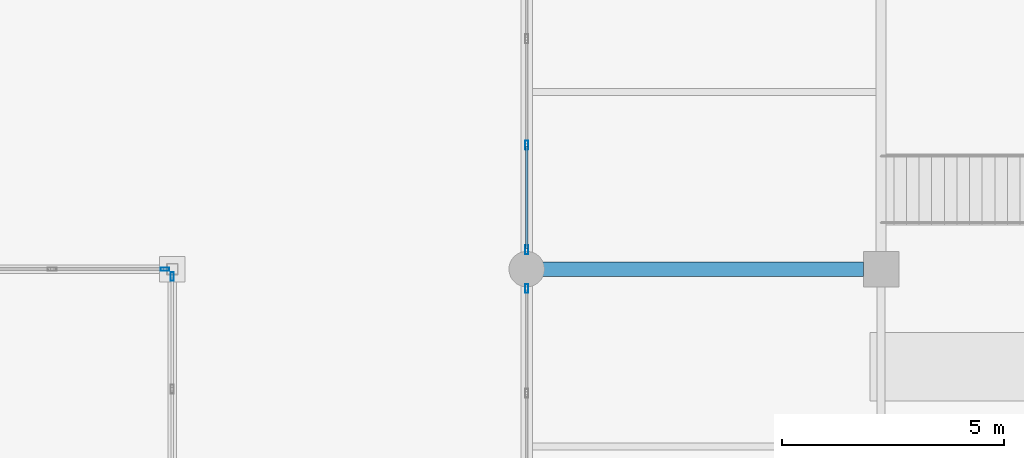
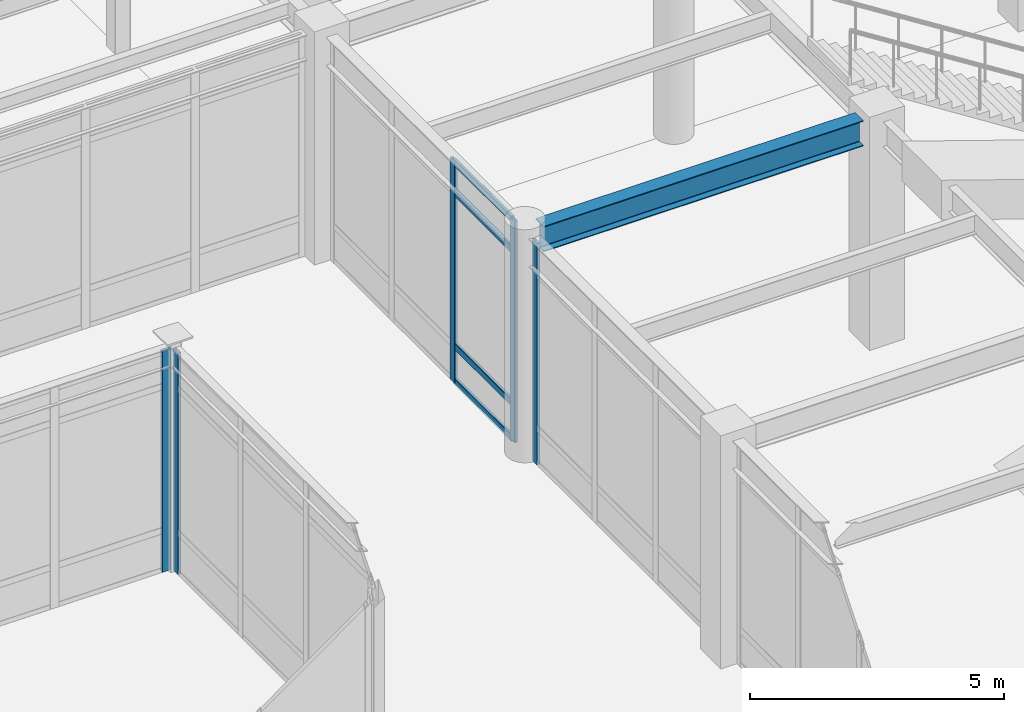
# One storey, part 66 of 128: 9 members, 1 beam, 4 elements without a shape of their own.
"""IFC4 building model written with IfcOpenShell, lengths in metres."""

from ifc_helpers import new_model, si_unit, direction, frame, origin, origin_2d, place, context, subcontext, project, spatial, hollow_rectangle, i_section, extrude, material, material_profile, profile_set, type_object, element, aggregate, save


model = new_model("IFC4")

# Units and contexts
model_context = context("Model", 3, precision=1e-05, world=origin(), true_north=direction((0.0, 1.0)))
body_context = subcontext(model_context, "Body", "Model", "MODEL_VIEW")
ifc_project = project(units=[si_unit("LENGTHUNIT", "METRE"), si_unit("AREAUNIT", "SQUARE_METRE"), si_unit("VOLUMEUNIT", "CUBIC_METRE"), si_unit("PLANEANGLEUNIT", "RADIAN"), si_unit("MASSUNIT", "GRAM", prefix="KILO")], contexts=[model_context])

# Site, building, storey
site_placement = place(None, origin())
site = spatial("IfcSite", under=ifc_project, at=site_placement, CompositionType="ELEMENT")
building_placement = place(site_placement, origin())
building = spatial("IfcBuilding", under=site, at=building_placement, Name="Solmirada Galleria", CompositionType="ELEMENT")
storey_placement = place(building_placement, origin())
storey = spatial("IfcBuildingStorey", under=building, at=storey_placement, Name="L00", CompositionType="ELEMENT", Elevation=0.0)

# Beam
ifc_material_1 = material(Name="Steel S355 / ASTM A992 Grade 50", Category="steel")
ifc_material_profile_1 = material_profile(ifc_material_1, i_section(OverallWidth=0.323974609375, OverallDepth=0.611083984375, WebThickness=0.0126953125, FlangeThickness=0.01904296875, FilletRadius=0.014892578125, at=origin_2d()), Name="W24X104")
ifc_profile_set_1 = profile_set([ifc_material_profile_1], Name="Steel S355 / ASTM A992 Grade 50")
beam_type = type_object("IfcBeamType", Name="BM-GIRD-W24A", PredefinedType="BEAM", material=ifc_profile_set_1)
beam_placement = place(storey_placement, frame((80.3359375, 64.0, 5.074462890625), z_axis=(1.0, 0.0, 0.0), x_axis=(0.0, 1.0, 0.0)))
element("IfcBeam", 1, at=beam_placement, inside=storey, type_object=beam_type, Name="Primary beam L01 X(80..88, 64)", PredefinedType="BEAM", context=body_context, shape_type="SweptSolid", body=[
    extrude(i_section(OverallWidth=0.323974609375, OverallDepth=0.611083984375, WebThickness=0.0126953125, FlangeThickness=0.01904296875, FilletRadius=0.014892578125, at=origin_2d()), origin(), (0.0, 0.0, 1.0), 7.26416015625),
])

# Curtain wall, member
ifc_material_2 = material(Name="Impact-resistant low-E double glazing", Category="glass")
curtain_wall_type_1 = type_object("IfcCurtainWallType", Name="CW-FZ3-L00-B3-L072", PredefinedType="NOTDEFINED", material=ifc_material_2)
curtain_wall_1_placement = place(storey_placement, origin())
curtain_wall_1 = element("IfcCurtainWall", 2, at=curtain_wall_1_placement, inside=storey, type_object=curtain_wall_type_1, Name="Terrace and arcade storefront CW-L00-002", PredefinedType="NOTDEFINED")
ifc_material_3 = material(Name="Anodised aluminium framing", Category="aluminium")
ifc_material_profile_2 = material_profile(ifc_material_3, hollow_rectangle(XDim=0.070068359375, YDim=0.199951171875, WallThickness=0.004150390625, InnerFilletRadius=0.004150390625, OuterFilletRadius=0.00830078125, at=origin_2d()), Name="ALU-MULL-200X70")
ifc_profile_set_2 = profile_set([ifc_material_profile_2], Name="Anodised aluminium framing")
member_type_1 = type_object("IfcMemberType", Name="CW-MULL-200", PredefinedType="MULLION", material=ifc_profile_set_2)
member_1_placement = place(storey_placement, frame((80.0, 63.56298828125, 0.0), z_axis=(0.0, 0.0, 1.0), x_axis=(-1.0, 0.0, 0.0)))
member_1 = element("IfcMember", 3, at=member_1_placement, type_object=member_type_1, Name="CW01 mullion 4", PredefinedType="MULLION", context=body_context, shape_type="SweptSolid", body=[
    extrude(hollow_rectangle(XDim=0.070068359375, YDim=0.199951171875, WallThickness=0.004150390625, InnerFilletRadius=0.004150390625, OuterFilletRadius=0.00830078125, at=origin_2d()), origin(), (0.0, 0.0, 1.0), 5.320068359375),
])
aggregate(curtain_wall_1, [member_1])

# Curtain wall, members
curtain_wall_2_placement = place(storey_placement, origin())
curtain_wall_2 = element("IfcCurtainWall", 4, at=curtain_wall_2_placement, inside=storey, type_object=curtain_wall_type_1, Name="Terrace and arcade storefront CW-L00-003", PredefinedType="NOTDEFINED")
member_2_placement = place(storey_placement, frame((80.0, 64.43701171875, 0.0), z_axis=(0.0, 0.0, 1.0), x_axis=(-1.0, 0.0, 0.0)))
member_2 = element("IfcMember", 5, at=member_2_placement, type_object=member_type_1, Name="CW01 mullion 1", PredefinedType="MULLION", context=body_context, shape_type="SweptSolid", body=[
    extrude(hollow_rectangle(XDim=0.070068359375, YDim=0.199951171875, WallThickness=0.004150390625, InnerFilletRadius=0.004150390625, OuterFilletRadius=0.00830078125, at=origin_2d()), origin(), (0.0, 0.0, 1.0), 5.320068359375),
])
member_3_placement = place(storey_placement, frame((80.0, 66.80078125, 0.0), z_axis=(0.0, 0.0, 1.0), x_axis=(-1.0, 0.0, 0.0)))
member_3 = element("IfcMember", 6, at=member_3_placement, type_object=member_type_1, Name="CW01 mullion 2", PredefinedType="MULLION", context=body_context, shape_type="SweptSolid", body=[
    extrude(hollow_rectangle(XDim=0.070068359375, YDim=0.199951171875, WallThickness=0.004150390625, InnerFilletRadius=0.004150390625, OuterFilletRadius=0.00830078125, at=origin_2d()), origin(), (0.0, 0.0, 1.0), 5.320068359375),
])

# Curtain wall, member
curtain_wall_type_2 = type_object("IfcCurtainWallType", Name="CW-FZ5-L00-B3-L077", PredefinedType="NOTDEFINED", material=ifc_material_2)
curtain_wall_3_placement = place(storey_placement, origin())
curtain_wall_3 = element("IfcCurtainWall", 7, at=curtain_wall_3_placement, inside=storey, type_object=curtain_wall_type_2, Name="Terrace and arcade storefront CW-L00-031", PredefinedType="NOTDEFINED")
member_4_placement = place(storey_placement, frame((72.0, 63.8359375, 0.0), z_axis=(0.0, 0.0, 1.0), x_axis=(1.0, 0.0, 0.0)))
member_4 = element("IfcMember", 8, at=member_4_placement, type_object=member_type_1, Name="CW08 mullion 1", PredefinedType="MULLION", context=body_context, shape_type="SweptSolid", body=[
    extrude(hollow_rectangle(XDim=0.070068359375, YDim=0.199951171875, WallThickness=0.004150390625, InnerFilletRadius=0.004150390625, OuterFilletRadius=0.00830078125, at=origin_2d()), origin(), (0.0, 0.0, 1.0), 5.320068359375),
])
aggregate(curtain_wall_3, [member_4])

curtain_wall_4_placement = place(storey_placement, origin())
curtain_wall_4 = element("IfcCurtainWall", 9, at=curtain_wall_4_placement, inside=storey, type_object=curtain_wall_type_2, Name="Terrace and arcade storefront CW-L00-037", PredefinedType="NOTDEFINED")
member_5_placement = place(storey_placement, frame((71.8359375, 64.0, 0.0), z_axis=(0.0, 0.0, 1.0), x_axis=(0.0, 1.0, 0.0)))
member_5 = element("IfcMember", 10, at=member_5_placement, type_object=member_type_1, Name="CW08 mullion 4", PredefinedType="MULLION", context=body_context, shape_type="SweptSolid", body=[
    extrude(hollow_rectangle(XDim=0.070068359375, YDim=0.199951171875, WallThickness=0.004150390625, InnerFilletRadius=0.004150390625, OuterFilletRadius=0.00830078125, at=origin_2d()), origin(), (0.0, 0.0, 1.0), 5.320068359375),
])
aggregate(curtain_wall_4, [member_5])

# Member
ifc_material_profile_3 = material_profile(ifc_material_3, hollow_rectangle(XDim=0.06494140625, YDim=0.159912109375, WallThickness=0.00390625, InnerFilletRadius=0.00390625, OuterFilletRadius=0.007568359375, at=origin_2d()), Name="ALU-TRAN-160X65")
ifc_profile_set_3 = profile_set([ifc_material_profile_3], Name="Anodised aluminium framing")
member_type_2 = type_object("IfcMemberType", Name="CW-TRAN-160", PredefinedType="USERDEFINED", material=ifc_profile_set_3)
member_6_placement = place(storey_placement, frame((80.0, 64.471923828125, 0.032470703125), z_axis=(0.0, 1.0, 0.0), x_axis=(-1.0, 0.0, 0.0)))
member_6 = element("IfcMember", 11, at=member_6_placement, type_object=member_type_2, Name="CW01 transom 1.1", ObjectType="TRANSOM", PredefinedType="USERDEFINED", context=body_context, shape_type="SweptSolid", body=[
    extrude(hollow_rectangle(XDim=0.06494140625, YDim=0.159912109375, WallThickness=0.00390625, InnerFilletRadius=0.00390625, OuterFilletRadius=0.007568359375, at=origin_2d()), origin(), (0.0, 0.0, 1.0), 2.293701171875),
])

member_7_placement = place(storey_placement, frame((80.0, 64.471923828125, 0.8798828125), z_axis=(0.0, 1.0, 0.0), x_axis=(-1.0, 0.0, 0.0)))
member_7 = element("IfcMember", 12, at=member_7_placement, type_object=member_type_2, Name="CW01 transom 1.2", ObjectType="TRANSOM", PredefinedType="USERDEFINED", context=body_context, shape_type="SweptSolid", body=[
    extrude(hollow_rectangle(XDim=0.06494140625, YDim=0.159912109375, WallThickness=0.00390625, InnerFilletRadius=0.00390625, OuterFilletRadius=0.007568359375, at=origin_2d()), origin(), (0.0, 0.0, 1.0), 2.293701171875),
])

member_8_placement = place(storey_placement, frame((80.0, 64.471923828125, 4.56005859375), z_axis=(0.0, 1.0, 0.0), x_axis=(-1.0, 0.0, 0.0)))
member_8 = element("IfcMember", 13, at=member_8_placement, type_object=member_type_2, Name="CW01 transom 1.3", ObjectType="TRANSOM", PredefinedType="USERDEFINED", context=body_context, shape_type="SweptSolid", body=[
    extrude(hollow_rectangle(XDim=0.06494140625, YDim=0.159912109375, WallThickness=0.00390625, InnerFilletRadius=0.00390625, OuterFilletRadius=0.007568359375, at=origin_2d()), origin(), (0.0, 0.0, 1.0), 2.293701171875),
])

member_9_placement = place(storey_placement, frame((80.0, 64.471923828125, 5.28759765625), z_axis=(0.0, 1.0, 0.0), x_axis=(-1.0, 0.0, 0.0)))
member_9 = element("IfcMember", 14, at=member_9_placement, type_object=member_type_2, Name="CW01 transom 1.4", ObjectType="TRANSOM", PredefinedType="USERDEFINED", context=body_context, shape_type="SweptSolid", body=[
    extrude(hollow_rectangle(XDim=0.06494140625, YDim=0.159912109375, WallThickness=0.00390625, InnerFilletRadius=0.00390625, OuterFilletRadius=0.007568359375, at=origin_2d()), origin(), (0.0, 0.0, 1.0), 2.293701171875),
])

aggregate(curtain_wall_2, [member_2, member_3, member_6, member_7, member_8, member_9])

save(model, "model.ifc")
